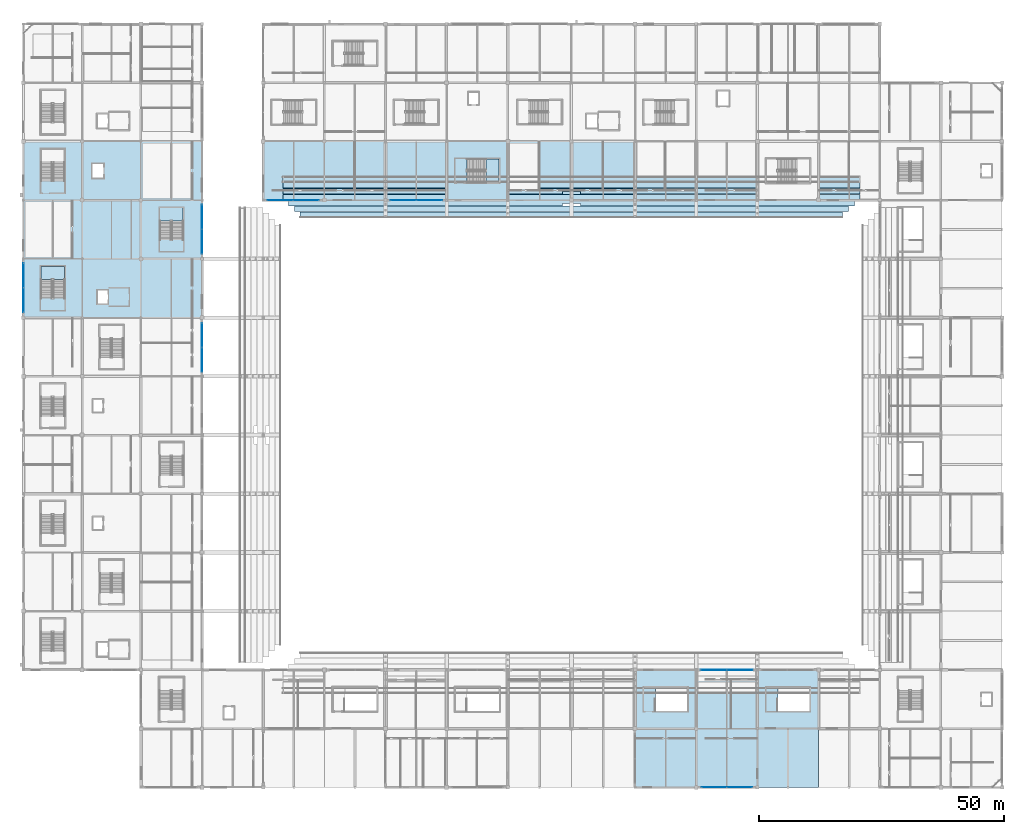
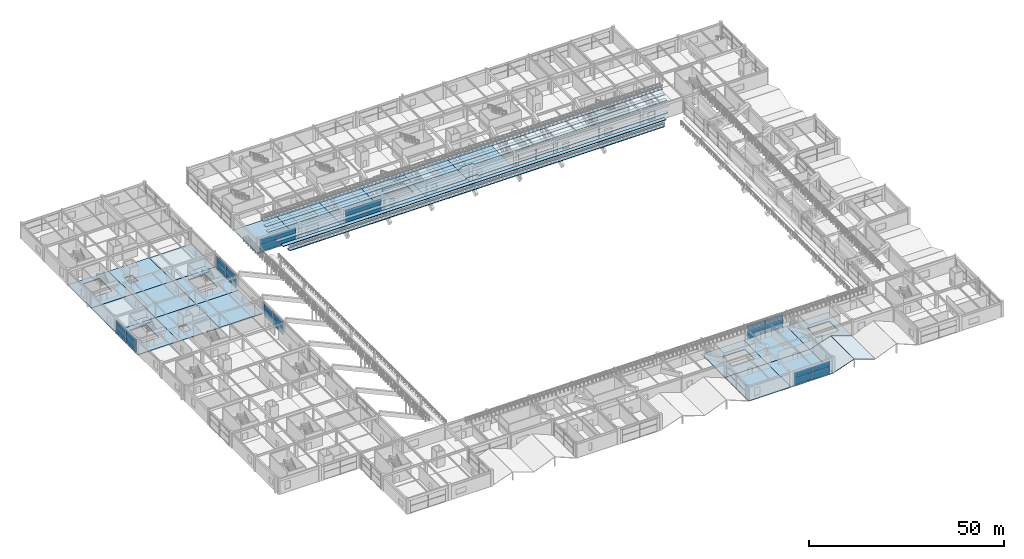
# One storey, part 71 of 128: 32 slabs, 28 plates, 10 elements without a shape of their own.
"""IFC4 building model written with IfcOpenShell, lengths in metres."""

from ifc_helpers import new_model, si_unit, direction, frame, origin, origin_2d, place, context, subcontext, project, spatial, polyline, rectangle, outline, extrude, material, layer, layer_set, type_object, element, aggregate, save


model = new_model("IFC4")

# Units and contexts
model_context = context("Model", 3, precision=1e-05, world=origin(), true_north=direction((0.0, 1.0)))
body_context = subcontext(model_context, "Body", "Model", "MODEL_VIEW")
ifc_project = project(units=[si_unit("LENGTHUNIT", "METRE"), si_unit("AREAUNIT", "SQUARE_METRE"), si_unit("VOLUMEUNIT", "CUBIC_METRE"), si_unit("PLANEANGLEUNIT", "RADIAN"), si_unit("MASSUNIT", "GRAM", prefix="KILO")], contexts=[model_context])

# Site, building, storey
site_placement = place(None, origin())
site = spatial("IfcSite", under=ifc_project, at=site_placement, CompositionType="ELEMENT")
building_placement = place(site_placement, origin())
building = spatial("IfcBuilding", under=site, at=building_placement, Name="Kazenohara Klinker Stadium", CompositionType="ELEMENT")
storey_placement = place(building_placement, frame((0.0, 0.0, 15.300048828125)))
storey = spatial("IfcBuildingStorey", under=building, at=storey_placement, Name="L03", CompositionType="ELEMENT", Elevation=15.300048828125)

# Curtain wall, plates
ifc_material_1 = material(Name="Anodised aluminium and triple glazing", Category="aluminium")
ifc_layer_1 = layer(ifc_material_1, 0.159912109375)
ifc_layer_set_1 = layer_set([ifc_layer_1], Name="Anodised aluminium and triple glazing")
curtain_wall_type_1 = type_object("IfcCurtainWallType", Name="CW-SYS-01", PredefinedType="USERDEFINED", material=ifc_layer_set_1)
curtain_wall_1_placement = place(storey_placement, origin())
curtain_wall_1 = element("IfcCurtainWall", 1, at=curtain_wall_1_placement, inside=storey, type_object=curtain_wall_type_1, Name="Unitised facade curtain wall CW01 L03 Y0-9", ObjectType="UNITISED CURTAIN WALL", PredefinedType="USERDEFINED")
ifc_material_2 = material(Name="Low-e laminated triple glazing", Category="glass")
ifc_layer_2 = layer(ifc_material_2, 0.0439453125)
ifc_layer_set_2 = layer_set([ifc_layer_2], Name="Low-e laminated triple glazing")
plate_type = type_object("IfcPlateType", Name="CW-PNL-44", PredefinedType="CURTAIN_PANEL", material=ifc_layer_set_2)
plate_1_placement = place(storey_placement, frame((0.0, 111.558349609375, 0.074951171875), z_axis=(0.0, 0.0, 1.0), x_axis=(0.0, 1.0, 0.0)))
plate_1 = element("IfcPlate", 2, at=plate_1_placement, type_object=plate_type, Name="CW01 panel 1.1", PredefinedType="CURTAIN_PANEL", context=body_context, shape_type="SweptSolid", body=[
    extrude(rectangle(XDim=4.95849609375, YDim=0.0439453125, at=origin_2d()), origin(), (0.0, 0.0, 1.0), 2.12060546875),
])
plate_2_placement = place(storey_placement, frame((0.0, 111.558349609375, 2.2705078125), z_axis=(0.0, 0.0, 1.0), x_axis=(0.0, 1.0, 0.0)))
plate_2 = element("IfcPlate", 3, at=plate_2_placement, type_object=plate_type, Name="CW01 panel 1.2", PredefinedType="CURTAIN_PANEL", context=body_context, shape_type="SweptSolid", body=[
    extrude(rectangle(XDim=4.95849609375, YDim=0.0439453125, at=origin_2d()), origin(), (0.0, 0.0, 1.0), 1.714599609375),
])
plate_3_placement = place(storey_placement, frame((0.0, 116.591796875, 0.074951171875), z_axis=(0.0, 0.0, 1.0), x_axis=(0.0, 1.0, 0.0)))
plate_3 = element("IfcPlate", 4, at=plate_3_placement, type_object=plate_type, Name="CW01 panel 2.1", PredefinedType="CURTAIN_PANEL", context=body_context, shape_type="SweptSolid", body=[
    extrude(rectangle(XDim=4.95849609375, YDim=0.0439453125, at=origin_2d()), origin(), (0.0, 0.0, 1.0), 2.12060546875),
])
plate_4_placement = place(storey_placement, frame((0.0, 116.591796875, 2.2705078125), z_axis=(0.0, 0.0, 1.0), x_axis=(0.0, 1.0, 0.0)))
plate_4 = element("IfcPlate", 5, at=plate_4_placement, type_object=plate_type, Name="CW01 panel 2.2", PredefinedType="CURTAIN_PANEL", context=body_context, shape_type="SweptSolid", body=[
    extrude(rectangle(XDim=4.95849609375, YDim=0.0439453125, at=origin_2d()), origin(), (0.0, 0.0, 1.0), 1.714599609375),
])
aggregate(curtain_wall_1, [plate_1, plate_2, plate_3, plate_4])

ifc_layer_3 = layer(ifc_material_1, 0.199951171875)
ifc_layer_set_3 = layer_set([ifc_layer_3], Name="Anodised aluminium and triple glazing")
curtain_wall_type_2 = type_object("IfcCurtainWallType", Name="CW-SYS-03", PredefinedType="USERDEFINED", material=ifc_layer_set_3)
curtain_wall_2_placement = place(storey_placement, origin())
curtain_wall_2 = element("IfcCurtainWall", 6, at=curtain_wall_2_placement, inside=storey, type_object=curtain_wall_type_2, Name="Unitised facade curtain wall CW03 L03 Y3-8", ObjectType="UNITISED CURTAIN WALL", PredefinedType="USERDEFINED")
plate_5_placement = place(storey_placement, frame((36.5, 99.376953125, 0.074951171875), z_axis=(0.0, 0.0, 1.0), x_axis=(0.0, 1.0, 0.0)))
plate_5 = element("IfcPlate", 7, at=plate_5_placement, type_object=plate_type, Name="CW03 panel 1.1", PredefinedType="CURTAIN_PANEL", context=body_context, shape_type="SweptSolid", body=[
    extrude(rectangle(XDim=4.946044921875, YDim=0.0439453125, at=origin_2d()), origin(), (0.0, 0.0, 1.0), 2.18212890625),
])
plate_6_placement = place(storey_placement, frame((36.5, 99.376953125, 2.33203125), z_axis=(0.0, 0.0, 1.0), x_axis=(0.0, 1.0, 0.0)))
plate_6 = element("IfcPlate", 8, at=plate_6_placement, type_object=plate_type, Name="CW03 panel 1.2", PredefinedType="CURTAIN_PANEL", context=body_context, shape_type="SweptSolid", body=[
    extrude(rectangle(XDim=4.946044921875, YDim=0.0439453125, at=origin_2d()), origin(), (0.0, 0.0, 1.0), 1.764892578125),
])
plate_7_placement = place(storey_placement, frame((36.5, 104.39794921875, 0.074951171875), z_axis=(0.0, 0.0, 1.0), x_axis=(0.0, 1.0, 0.0)))
plate_7 = element("IfcPlate", 9, at=plate_7_placement, type_object=plate_type, Name="CW03 panel 2.1", PredefinedType="CURTAIN_PANEL", context=body_context, shape_type="SweptSolid", body=[
    extrude(rectangle(XDim=4.946044921875, YDim=0.0439453125, at=origin_2d()), origin(), (0.0, 0.0, 1.0), 2.18212890625),
])
plate_8_placement = place(storey_placement, frame((36.5, 104.39794921875, 2.33203125), z_axis=(0.0, 0.0, 1.0), x_axis=(0.0, 1.0, 0.0)))
plate_8 = element("IfcPlate", 10, at=plate_8_placement, type_object=plate_type, Name="CW03 panel 2.2", PredefinedType="CURTAIN_PANEL", context=body_context, shape_type="SweptSolid", body=[
    extrude(rectangle(XDim=4.946044921875, YDim=0.0439453125, at=origin_2d()), origin(), (0.0, 0.0, 1.0), 1.764892578125),
])
aggregate(curtain_wall_2, [plate_5, plate_6, plate_7, plate_8])

ifc_layer_4 = layer(ifc_material_1, 0.169921875)
ifc_layer_set_4 = layer_set([ifc_layer_4], Name="Anodised aluminium and triple glazing")
curtain_wall_type_3 = type_object("IfcCurtainWallType", Name="CW-SYS-04", PredefinedType="USERDEFINED", material=ifc_layer_set_4)
curtain_wall_3_placement = place(storey_placement, origin())
curtain_wall_3 = element("IfcCurtainWall", 11, at=curtain_wall_3_placement, inside=storey, type_object=curtain_wall_type_3, Name="Unitised facade curtain wall CW04 L03 Y3-10", ObjectType="UNITISED CURTAIN WALL", PredefinedType="USERDEFINED")
plate_9_placement = place(storey_placement, frame((36.5, 123.558349609375, 0.07470703125), z_axis=(0.0, 0.0, 1.0), x_axis=(0.0, 1.0, 0.0)))
plate_9 = element("IfcPlate", 12, at=plate_9_placement, type_object=plate_type, Name="CW04 panel 1.1", PredefinedType="CURTAIN_PANEL", context=body_context, shape_type="SweptSolid", body=[
    extrude(rectangle(XDim=4.95849609375, YDim=0.0439453125, at=origin_2d()), origin(), (0.0, 0.0, 1.0), 2.175537109375),
])
plate_10_placement = place(storey_placement, frame((36.5, 123.558349609375, 2.32568359375), z_axis=(0.0, 0.0, 1.0), x_axis=(0.0, 1.0, 0.0)))
plate_10 = element("IfcPlate", 13, at=plate_10_placement, type_object=plate_type, Name="CW04 panel 1.2", PredefinedType="CURTAIN_PANEL", context=body_context, shape_type="SweptSolid", body=[
    extrude(rectangle(XDim=4.95849609375, YDim=0.0439453125, at=origin_2d()), origin(), (0.0, 0.0, 1.0), 1.759521484375),
])
plate_11_placement = place(storey_placement, frame((36.5, 128.591796875, 0.07470703125), z_axis=(0.0, 0.0, 1.0), x_axis=(0.0, 1.0, 0.0)))
plate_11 = element("IfcPlate", 14, at=plate_11_placement, type_object=plate_type, Name="CW04 panel 2.1", PredefinedType="CURTAIN_PANEL", context=body_context, shape_type="SweptSolid", body=[
    extrude(rectangle(XDim=4.95849609375, YDim=0.0439453125, at=origin_2d()), origin(), (0.0, 0.0, 1.0), 2.175537109375),
])
plate_12_placement = place(storey_placement, frame((36.5, 128.591796875, 2.32568359375), z_axis=(0.0, 0.0, 1.0), x_axis=(0.0, 1.0, 0.0)))
plate_12 = element("IfcPlate", 15, at=plate_12_placement, type_object=plate_type, Name="CW04 panel 2.2", PredefinedType="CURTAIN_PANEL", context=body_context, shape_type="SweptSolid", body=[
    extrude(rectangle(XDim=4.95849609375, YDim=0.0439453125, at=origin_2d()), origin(), (0.0, 0.0, 1.0), 1.759521484375),
])
aggregate(curtain_wall_3, [plate_9, plate_10, plate_11, plate_12])

curtain_wall_4_placement = place(storey_placement, origin())
curtain_wall_4 = element("IfcCurtainWall", 16, at=curtain_wall_4_placement, inside=storey, type_object=curtain_wall_type_3, Name="Unitised facade curtain wall CW04 L03 X4-11", ObjectType="UNITISED CURTAIN WALL", PredefinedType="USERDEFINED")
plate_13_placement = place(storey_placement, frame((52.501953125, 132.0, 0.074951171875), z_axis=(0.0, 0.0, 1.0), x_axis=(1.0, 0.0, 0.0)))
plate_13 = element("IfcPlate", 17, at=plate_13_placement, type_object=plate_type, Name="CW04 panel 1.1", PredefinedType="CURTAIN_PANEL", context=body_context, shape_type="SweptSolid", body=[
    extrude(rectangle(XDim=5.196044921875, YDim=0.0439453125, at=origin_2d()), origin(), (0.0, 0.0, 1.0), 2.12060546875),
])
plate_14_placement = place(storey_placement, frame((52.501953125, 132.0, 2.2705078125), z_axis=(0.0, 0.0, 1.0), x_axis=(1.0, 0.0, 0.0)))
plate_14 = element("IfcPlate", 18, at=plate_14_placement, type_object=plate_type, Name="CW04 panel 1.2", PredefinedType="CURTAIN_PANEL", context=body_context, shape_type="SweptSolid", body=[
    extrude(rectangle(XDim=5.196044921875, YDim=0.0439453125, at=origin_2d()), origin(), (0.0, 0.0, 1.0), 1.714599609375),
])
plate_15_placement = place(storey_placement, frame((57.77294921875, 132.0, 0.074951171875), z_axis=(0.0, 0.0, 1.0), x_axis=(1.0, 0.0, 0.0)))
plate_15 = element("IfcPlate", 19, at=plate_15_placement, type_object=plate_type, Name="CW04 panel 2.1", PredefinedType="CURTAIN_PANEL", context=body_context, shape_type="SweptSolid", body=[
    extrude(rectangle(XDim=5.196044921875, YDim=0.0439453125, at=origin_2d()), origin(), (0.0, 0.0, 1.0), 2.12060546875),
])
plate_16_placement = place(storey_placement, frame((57.77294921875, 132.0, 2.2705078125), z_axis=(0.0, 0.0, 1.0), x_axis=(1.0, 0.0, 0.0)))
plate_16 = element("IfcPlate", 20, at=plate_16_placement, type_object=plate_type, Name="CW04 panel 2.2", PredefinedType="CURTAIN_PANEL", context=body_context, shape_type="SweptSolid", body=[
    extrude(rectangle(XDim=5.196044921875, YDim=0.0439453125, at=origin_2d()), origin(), (0.0, 0.0, 1.0), 1.714599609375),
])
aggregate(curtain_wall_4, [plate_13, plate_14, plate_15, plate_16])

curtain_wall_5_placement = place(storey_placement, origin())
curtain_wall_5 = element("IfcCurtainWall", 21, at=curtain_wall_5_placement, inside=storey, type_object=curtain_wall_type_3, Name="Unitised facade curtain wall CW04 L03 X6-11", ObjectType="UNITISED CURTAIN WALL", PredefinedType="USERDEFINED")
plate_17_placement = place(storey_placement, frame((77.683349609375, 132.0, 0.074951171875), z_axis=(0.0, 0.0, 1.0), x_axis=(1.0, 0.0, 0.0)))
plate_17 = element("IfcPlate", 22, at=plate_17_placement, type_object=plate_type, Name="CW04 panel 1.1", PredefinedType="CURTAIN_PANEL", context=body_context, shape_type="SweptSolid", body=[
    extrude(rectangle(XDim=5.20849609375, YDim=0.0439453125, at=origin_2d()), origin(), (0.0, 0.0, 1.0), 2.18212890625),
])
plate_18_placement = place(storey_placement, frame((77.683349609375, 132.0, 2.33203125), z_axis=(0.0, 0.0, 1.0), x_axis=(1.0, 0.0, 0.0)))
plate_18 = element("IfcPlate", 23, at=plate_18_placement, type_object=plate_type, Name="CW04 panel 1.2", PredefinedType="CURTAIN_PANEL", context=body_context, shape_type="SweptSolid", body=[
    extrude(rectangle(XDim=5.20849609375, YDim=0.0439453125, at=origin_2d()), origin(), (0.0, 0.0, 1.0), 1.764892578125),
])
plate_19_placement = place(storey_placement, frame((82.966796875, 132.0, 0.074951171875), z_axis=(0.0, 0.0, 1.0), x_axis=(1.0, 0.0, 0.0)))
plate_19 = element("IfcPlate", 24, at=plate_19_placement, type_object=plate_type, Name="CW04 panel 2.1", PredefinedType="CURTAIN_PANEL", context=body_context, shape_type="SweptSolid", body=[
    extrude(rectangle(XDim=5.20849609375, YDim=0.0439453125, at=origin_2d()), origin(), (0.0, 0.0, 1.0), 2.18212890625),
])
plate_20_placement = place(storey_placement, frame((82.966796875, 132.0, 2.33203125), z_axis=(0.0, 0.0, 1.0), x_axis=(1.0, 0.0, 0.0)))
plate_20 = element("IfcPlate", 25, at=plate_20_placement, type_object=plate_type, Name="CW04 panel 2.2", PredefinedType="CURTAIN_PANEL", context=body_context, shape_type="SweptSolid", body=[
    extrude(rectangle(XDim=5.20849609375, YDim=0.0439453125, at=origin_2d()), origin(), (0.0, 0.0, 1.0), 1.764892578125),
])
aggregate(curtain_wall_5, [plate_17, plate_18, plate_19, plate_20])

curtain_wall_6_placement = place(storey_placement, origin())
curtain_wall_6 = element("IfcCurtainWall", 26, at=curtain_wall_6_placement, inside=storey, type_object=curtain_wall_type_2, Name="Unitised facade curtain wall CW03 L03 X11-1", ObjectType="UNITISED CURTAIN WALL", PredefinedType="USERDEFINED")
plate_21_placement = place(storey_placement, frame((141.183349609375, 12.0, 0.074951171875), z_axis=(0.0, 0.0, 1.0), x_axis=(1.0, 0.0, 0.0)))
plate_21 = element("IfcPlate", 27, at=plate_21_placement, type_object=plate_type, Name="CW03 panel 1.1", PredefinedType="CURTAIN_PANEL", context=body_context, shape_type="SweptSolid", body=[
    extrude(rectangle(XDim=5.1083984375, YDim=0.0439453125, at=origin_2d()), origin(), (0.0, 0.0, 1.0), 2.12060546875),
])
plate_22_placement = place(storey_placement, frame((141.183349609375, 12.0, 2.2705078125), z_axis=(0.0, 0.0, 1.0), x_axis=(1.0, 0.0, 0.0)))
plate_22 = element("IfcPlate", 28, at=plate_22_placement, type_object=plate_type, Name="CW03 panel 1.2", PredefinedType="CURTAIN_PANEL", context=body_context, shape_type="SweptSolid", body=[
    extrude(rectangle(XDim=5.1083984375, YDim=0.0439453125, at=origin_2d()), origin(), (0.0, 0.0, 1.0), 1.714599609375),
])
plate_23_placement = place(storey_placement, frame((146.36669921875, 12.0, 0.074951171875), z_axis=(0.0, 0.0, 1.0), x_axis=(1.0, 0.0, 0.0)))
plate_23 = element("IfcPlate", 29, at=plate_23_placement, type_object=plate_type, Name="CW03 panel 2.1", PredefinedType="CURTAIN_PANEL", context=body_context, shape_type="SweptSolid", body=[
    extrude(rectangle(XDim=5.1083984375, YDim=0.0439453125, at=origin_2d()), origin(), (0.0, 0.0, 1.0), 2.12060546875),
])
plate_24_placement = place(storey_placement, frame((146.36669921875, 12.0, 2.2705078125), z_axis=(0.0, 0.0, 1.0), x_axis=(1.0, 0.0, 0.0)))
plate_24 = element("IfcPlate", 30, at=plate_24_placement, type_object=plate_type, Name="CW03 panel 2.2", PredefinedType="CURTAIN_PANEL", context=body_context, shape_type="SweptSolid", body=[
    extrude(rectangle(XDim=5.1083984375, YDim=0.0439453125, at=origin_2d()), origin(), (0.0, 0.0, 1.0), 1.714599609375),
])
aggregate(curtain_wall_6, [plate_21, plate_22, plate_23, plate_24])

curtain_wall_7_placement = place(storey_placement, origin())
curtain_wall_7 = element("IfcCurtainWall", 31, at=curtain_wall_7_placement, inside=storey, type_object=curtain_wall_type_3, Name="Unitised facade curtain wall CW04 L03 X11-3", ObjectType="UNITISED CURTAIN WALL", PredefinedType="USERDEFINED")
plate_25_placement = place(storey_placement, frame((141.076904296875, 36.0, 0.074951171875), z_axis=(0.0, 0.0, 1.0), x_axis=(1.0, 0.0, 0.0)))
plate_25 = element("IfcPlate", 32, at=plate_25_placement, type_object=plate_type, Name="CW04 panel 1.1", PredefinedType="CURTAIN_PANEL", context=body_context, shape_type="SweptSolid", body=[
    extrude(rectangle(XDim=5.2958984375, YDim=0.0439453125, at=origin_2d()), origin(), (0.0, 0.0, 1.0), 2.18212890625),
])
plate_26_placement = place(storey_placement, frame((141.076904296875, 36.0, 2.33203125), z_axis=(0.0, 0.0, 1.0), x_axis=(1.0, 0.0, 0.0)))
plate_26 = element("IfcPlate", 33, at=plate_26_placement, type_object=plate_type, Name="CW04 panel 1.2", PredefinedType="CURTAIN_PANEL", context=body_context, shape_type="SweptSolid", body=[
    extrude(rectangle(XDim=5.2958984375, YDim=0.0439453125, at=origin_2d()), origin(), (0.0, 0.0, 1.0), 1.764892578125),
])
plate_27_placement = place(storey_placement, frame((146.447998046875, 36.0, 0.074951171875), z_axis=(0.0, 0.0, 1.0), x_axis=(1.0, 0.0, 0.0)))
plate_27 = element("IfcPlate", 34, at=plate_27_placement, type_object=plate_type, Name="CW04 panel 2.1", PredefinedType="CURTAIN_PANEL", context=body_context, shape_type="SweptSolid", body=[
    extrude(rectangle(XDim=5.2958984375, YDim=0.0439453125, at=origin_2d()), origin(), (0.0, 0.0, 1.0), 2.18212890625),
])
plate_28_placement = place(storey_placement, frame((146.447998046875, 36.0, 2.33203125), z_axis=(0.0, 0.0, 1.0), x_axis=(1.0, 0.0, 0.0)))
plate_28 = element("IfcPlate", 35, at=plate_28_placement, type_object=plate_type, Name="CW04 panel 2.2", PredefinedType="CURTAIN_PANEL", context=body_context, shape_type="SweptSolid", body=[
    extrude(rectangle(XDim=5.2958984375, YDim=0.0439453125, at=origin_2d()), origin(), (0.0, 0.0, 1.0), 1.764892578125),
])
aggregate(curtain_wall_7, [plate_25, plate_26, plate_27, plate_28])

# Slabs
ifc_material_3 = material(Name="Concrete C40/50", Category="concrete")
ifc_layer_5 = layer(ifc_material_3, 0.280029296875)
ifc_layer_set_5 = layer_set([ifc_layer_5], Name="Concrete C40/50")
slab_type_1 = type_object("IfcSlabType", Name="SLB-FLR-280", PredefinedType="FLOOR", material=ifc_layer_set_5)
slab_1_placement = place(storey_placement, frame((0.0, 0.0, -0.280029296875)))
element("IfcSlab", 36, at=slab_1_placement, inside=storey, type_object=slab_type_1, Name="Floor slab FS04 L03 1/K", PredefinedType="FLOOR", context=body_context, shape_type="SweptSolid", body=[
    extrude(outline(polyline([(0.0, 108.0), (12.0, 108.0), (12.0, 120.0), (0.0, 120.0), (0.0, 108.0)]), holes=[polyline([(8.43994140625, 111.9599609375), (8.43994140625, 118.4599609375), (3.56005859375, 118.4599609375), (3.56005859375, 111.9599609375), (8.43994140625, 111.9599609375)])]), origin(), (0.0, 0.0, 1.0), 0.280029296875),
])
slab_2_placement = place(storey_placement, frame((0.0, 0.0, -0.280029296875)))
element("IfcSlab", 37, at=slab_2_placement, inside=storey, type_object=slab_type_1, Name="Floor slab FS04 L03 1/L", PredefinedType="FLOOR", context=body_context, shape_type="SweptSolid", body=[
    extrude(outline(polyline([(0.0, 120.0), (12.0, 120.0), (12.0, 132.0), (0.0, 132.0), (0.0, 120.0)])), origin(), (0.0, 0.0, 1.0), 0.280029296875),
])
slab_3_placement = place(storey_placement, frame((0.0, 0.0, -0.280029296875)))
element("IfcSlab", 38, at=slab_3_placement, inside=storey, type_object=slab_type_1, Name="Floor slab FS04 L03 1/M", PredefinedType="FLOOR", context=body_context, shape_type="SweptSolid", body=[
    extrude(outline(polyline([(0.0, 132.0), (12.0, 132.0), (12.0, 144.0), (0.0, 144.0), (0.0, 132.0)]), holes=[polyline([(8.39990234375, 135.919921875), (8.39990234375, 142.4599609375), (3.60009765625, 142.4599609375), (3.60009765625, 135.919921875), (8.39990234375, 135.919921875)])]), origin(), (0.0, 0.0, 1.0), 0.280029296875),
])
slab_4_placement = place(storey_placement, frame((0.0, 0.0, -0.280029296875)))
element("IfcSlab", 39, at=slab_4_placement, inside=storey, type_object=slab_type_1, Name="Floor slab FS04 L03 2/K", PredefinedType="FLOOR", context=body_context, shape_type="SweptSolid", body=[
    extrude(outline(polyline([(12.0, 108.0), (24.0, 108.0), (24.0, 120.0), (12.0, 120.0), (12.0, 108.0)]), holes=[polyline([(15.14990234375, 110.85009765625), (17.25, 110.85009765625), (17.25, 113.550048828125), (15.14990234375, 113.550048828125), (15.14990234375, 110.85009765625)])]), origin(), (0.0, 0.0, 1.0), 0.280029296875),
])
slab_5_placement = place(storey_placement, frame((0.0, 0.0, -0.280029296875)))
element("IfcSlab", 40, at=slab_5_placement, inside=storey, type_object=slab_type_1, Name="Floor slab FS04 L03 2/L", PredefinedType="FLOOR", context=body_context, shape_type="SweptSolid", body=[
    extrude(outline(polyline([(12.0, 120.0), (24.0, 120.0), (24.0, 132.0), (12.0, 132.0), (12.0, 120.0)])), origin(), (0.0, 0.0, 1.0), 0.280029296875),
])
slab_6_placement = place(storey_placement, frame((0.0, 0.0, -0.280029296875)))
element("IfcSlab", 41, at=slab_6_placement, inside=storey, type_object=slab_type_1, Name="Floor slab FS04 L03 2/M", PredefinedType="FLOOR", context=body_context, shape_type="SweptSolid", body=[
    extrude(outline(polyline([(12.0, 132.0), (24.0, 132.0), (24.0, 144.0), (12.0, 144.0), (12.0, 132.0)]), holes=[polyline([(14.050048828125, 136.550048828125), (16.35009765625, 136.550048828125), (16.35009765625, 139.449951171875), (14.050048828125, 139.449951171875), (14.050048828125, 136.550048828125)])]), origin(), (0.0, 0.0, 1.0), 0.280029296875),
])
slab_7_placement = place(storey_placement, frame((0.0, 0.0, -0.280029296875)))
element("IfcSlab", 42, at=slab_7_placement, inside=storey, type_object=slab_type_1, Name="Floor slab FS04 L03 3/K", PredefinedType="FLOOR", context=body_context, shape_type="SweptSolid", body=[
    extrude(outline(polyline([(24.0, 108.0), (36.5, 108.0), (36.5, 120.0), (24.0, 120.0), (24.0, 108.0)])), origin(), (0.0, 0.0, 1.0), 0.280029296875),
])
slab_8_placement = place(storey_placement, frame((0.0, 0.0, -0.280029296875)))
element("IfcSlab", 43, at=slab_8_placement, inside=storey, type_object=slab_type_1, Name="Floor slab FS04 L03 3/L", PredefinedType="FLOOR", context=body_context, shape_type="SweptSolid", body=[
    extrude(outline(polyline([(24.0, 120.0), (36.5, 120.0), (36.5, 132.0), (24.0, 132.0), (24.0, 120.0)]), holes=[polyline([(32.659912109375, 123.929931640625), (32.659912109375, 130.4599609375), (27.840087890625, 130.4599609375), (27.840087890625, 123.929931640625), (32.659912109375, 123.929931640625)])]), origin(), (0.0, 0.0, 1.0), 0.280029296875),
])
slab_9_placement = place(storey_placement, frame((0.0, 0.0, -0.280029296875)))
element("IfcSlab", 44, at=slab_9_placement, inside=storey, type_object=slab_type_1, Name="Floor slab FS04 L03 3/M", PredefinedType="FLOOR", context=body_context, shape_type="SweptSolid", body=[
    extrude(outline(polyline([(24.0, 132.0), (36.5, 132.0), (36.5, 144.0), (24.0, 144.0), (24.0, 132.0)])), origin(), (0.0, 0.0, 1.0), 0.280029296875),
])
slab_10_placement = place(storey_placement, frame((0.0, 0.0, -0.280029296875)))
element("IfcSlab", 45, at=slab_10_placement, inside=storey, type_object=slab_type_1, Name="Floor slab FS04 L03 5/M", PredefinedType="FLOOR", context=body_context, shape_type="SweptSolid", body=[
    extrude(outline(polyline([(49.0, 132.0), (61.5, 132.0), (61.5, 144.0), (49.0, 144.0), (49.0, 132.0)])), origin(), (0.0, 0.0, 1.0), 0.280029296875),
])
slab_11_placement = place(storey_placement, frame((0.0, 0.0, -0.280029296875)))
element("IfcSlab", 46, at=slab_11_placement, inside=storey, type_object=slab_type_1, Name="Floor slab FS04 L03 6/M", PredefinedType="FLOOR", context=body_context, shape_type="SweptSolid", body=[
    extrude(outline(polyline([(61.5, 132.0), (74.0, 132.0), (74.0, 144.0), (61.5, 144.0), (61.5, 132.0)])), origin(), (0.0, 0.0, 1.0), 0.280029296875),
])
slab_12_placement = place(storey_placement, frame((0.0, 0.0, -0.280029296875)))
element("IfcSlab", 47, at=slab_12_placement, inside=storey, type_object=slab_type_1, Name="Floor slab FS04 L03 7/M", PredefinedType="FLOOR", context=body_context, shape_type="SweptSolid", body=[
    extrude(outline(polyline([(74.0, 132.0), (86.5, 132.0), (86.5, 144.0), (74.0, 144.0), (74.0, 132.0)])), origin(), (0.0, 0.0, 1.0), 0.280029296875),
])
slab_13_placement = place(storey_placement, frame((0.0, 0.0, -0.280029296875)))
element("IfcSlab", 48, at=slab_13_placement, inside=storey, type_object=slab_type_1, Name="Floor slab FS04 L03 8/M", PredefinedType="FLOOR", context=body_context, shape_type="SweptSolid", body=[
    extrude(outline(polyline([(86.5, 132.0), (99.0, 132.0), (99.0, 144.0), (86.5, 144.0), (86.5, 132.0)]), holes=[polyline([(90.699951171875, 135.570068359375), (97.2099609375, 135.570068359375), (97.2099609375, 140.429931640625), (90.699951171875, 140.429931640625), (90.699951171875, 135.570068359375)])]), origin(), (0.0, 0.0, 1.0), 0.280029296875),
])
slab_14_placement = place(storey_placement, frame((0.0, 0.0, -0.280029296875)))
element("IfcSlab", 49, at=slab_14_placement, inside=storey, type_object=slab_type_1, Name="Floor slab FS04 L03 9/M", PredefinedType="FLOOR", context=body_context, shape_type="SweptSolid", body=[
    extrude(outline(polyline([(99.0, 132.0), (112.0, 132.0), (112.0, 144.0), (99.0, 144.0), (99.0, 132.0)])), origin(), (0.0, 0.0, 1.0), 0.280029296875),
])
slab_15_placement = place(storey_placement, frame((0.0, 0.0, -0.280029296875)))
element("IfcSlab", 50, at=slab_15_placement, inside=storey, type_object=slab_type_1, Name="Floor slab FS04 L03 10/M", PredefinedType="FLOOR", context=body_context, shape_type="SweptSolid", body=[
    extrude(outline(polyline([(112.0, 132.0), (125.0, 132.0), (125.0, 144.0), (112.0, 144.0), (112.0, 132.0)])), origin(), (0.0, 0.0, 1.0), 0.280029296875),
])
slab_16_placement = place(storey_placement, frame((0.0, 0.0, -0.280029296875)))
element("IfcSlab", 51, at=slab_16_placement, inside=storey, type_object=slab_type_1, Name="Floor slab FS04 L03 11/B", PredefinedType="FLOOR", context=body_context, shape_type="SweptSolid", body=[
    extrude(outline(polyline([(125.0, 12.0), (137.5, 12.0), (137.5, 24.0), (125.0, 24.0), (125.0, 12.0)])), origin(), (0.0, 0.0, 1.0), 0.280029296875),
])
slab_17_placement = place(storey_placement, frame((0.0, 0.0, -0.280029296875)))
element("IfcSlab", 52, at=slab_17_placement, inside=storey, type_object=slab_type_1, Name="Floor slab FS04 L03 11/C", PredefinedType="FLOOR", context=body_context, shape_type="SweptSolid", body=[
    extrude(outline(polyline([(125.0, 24.0), (137.5, 24.0), (137.5, 36.0), (125.0, 36.0), (125.0, 24.0)]), holes=[polyline([(129.199951171875, 27.570068359375), (135.7099609375, 27.570068359375), (135.7099609375, 32.429931640625), (129.199951171875, 32.429931640625), (129.199951171875, 27.570068359375)])]), origin(), (0.0, 0.0, 1.0), 0.280029296875),
])
slab_18_placement = place(storey_placement, frame((0.0, 0.0, -0.280029296875)))
element("IfcSlab", 53, at=slab_18_placement, inside=storey, type_object=slab_type_1, Name="Floor slab FS04 L03 12/B", PredefinedType="FLOOR", context=body_context, shape_type="SweptSolid", body=[
    extrude(outline(polyline([(137.5, 12.0), (150.0, 12.0), (150.0, 24.0), (137.5, 24.0), (137.5, 12.0)])), origin(), (0.0, 0.0, 1.0), 0.280029296875),
])
slab_19_placement = place(storey_placement, frame((0.0, 0.0, -0.280029296875)))
element("IfcSlab", 54, at=slab_19_placement, inside=storey, type_object=slab_type_1, Name="Floor slab FS04 L03 12/C", PredefinedType="FLOOR", context=body_context, shape_type="SweptSolid", body=[
    extrude(outline(polyline([(137.5, 24.0), (150.0, 24.0), (150.0, 36.0), (137.5, 36.0), (137.5, 24.0)])), origin(), (0.0, 0.0, 1.0), 0.280029296875),
])
slab_20_placement = place(storey_placement, frame((0.0, 0.0, -0.280029296875)))
element("IfcSlab", 55, at=slab_20_placement, inside=storey, type_object=slab_type_1, Name="Floor slab FS04 L03 13/C", PredefinedType="FLOOR", context=body_context, shape_type="SweptSolid", body=[
    extrude(outline(polyline([(150.0, 24.0), (162.5, 24.0), (162.5, 36.0), (150.0, 36.0), (150.0, 24.0)]), holes=[polyline([(154.2099609375, 27.56005859375), (160.7099609375, 27.56005859375), (160.7099609375, 32.43994140625), (154.2099609375, 32.43994140625), (154.2099609375, 27.56005859375)])]), origin(), (0.0, 0.0, 1.0), 0.280029296875),
])

# Stair, slab
stair_type_1 = type_object("IfcStairType", Name="STR-DL-2340", PredefinedType="HALF_TURN_STAIR", material=ifc_material_3)
stair_1_placement = place(storey_placement, origin())
stair_1 = element("IfcStair", 56, at=stair_1_placement, inside=storey, type_object=stair_type_1, Name="L03 Enclosed escape stair ST04", PredefinedType="HALF_TURN_STAIR")
ifc_layer_6 = layer(ifc_material_3, 0.199951171875)
ifc_layer_set_6 = layer_set([ifc_layer_6], Name="Concrete C40/50")
slab_type_2 = type_object("IfcSlabType", Name="SLB-LND-200", PredefinedType="LANDING", material=ifc_layer_set_6)
slab_21_placement = place(storey_placement, frame((0.0, 0.0, 2.349853515625)))
slab_21 = element("IfcSlab", 57, at=slab_21_placement, type_object=slab_type_2, Name="ST04 landing 1", PredefinedType="LANDING", context=body_context, shape_type="SweptSolid", body=[
    extrude(outline(polyline([(8.43994140625, 115.800048828125), (8.43994140625, 118.4599609375), (3.56005859375, 118.4599609375), (3.56005859375, 115.800048828125), (8.43994140625, 115.800048828125)])), origin(), (0.0, 0.0, 1.0), 0.2001953125),
])
aggregate(stair_1, [slab_21])

stair_type_2 = type_object("IfcStairType", Name="STR-DL-2310", PredefinedType="HALF_TURN_STAIR", material=ifc_material_3)
stair_2_placement = place(storey_placement, origin())
stair_2 = element("IfcStair", 58, at=stair_2_placement, inside=storey, type_object=stair_type_2, Name="L03 Enclosed escape stair ST18", PredefinedType="HALF_TURN_STAIR")
slab_22_placement = place(storey_placement, frame((0.0, 0.0, 2.349853515625)))
slab_22 = element("IfcSlab", 59, at=slab_22_placement, type_object=slab_type_2, Name="ST18 landing 1", PredefinedType="LANDING", context=body_context, shape_type="SweptSolid", body=[
    extrude(outline(polyline([(32.659912109375, 127.77001953125), (32.659912109375, 130.4599609375), (27.840087890625, 130.4599609375), (27.840087890625, 127.77001953125), (32.659912109375, 127.77001953125)])), origin(), (0.0, 0.0, 1.0), 0.2001953125),
])
aggregate(stair_2, [slab_22])

stair_type_3 = type_object("IfcStairType", Name="STR-DL-2330", PredefinedType="HALF_TURN_STAIR", material=ifc_material_3)
stair_3_placement = place(storey_placement, origin())
stair_3 = element("IfcStair", 60, at=stair_3_placement, inside=storey, type_object=stair_type_3, Name="L03 Enclosed escape stair ST19", PredefinedType="HALF_TURN_STAIR")
slab_23_placement = place(storey_placement, frame((0.0, 0.0, 2.349853515625)))
slab_23 = element("IfcSlab", 61, at=slab_23_placement, type_object=slab_type_2, Name="ST19 landing 1", PredefinedType="LANDING", context=body_context, shape_type="SweptSolid", body=[
    extrude(outline(polyline([(94.5400390625, 135.570068359375), (97.2099609375, 135.570068359375), (97.2099609375, 140.429931640625), (94.5400390625, 140.429931640625), (94.5400390625, 135.570068359375)])), origin(), (0.0, 0.0, 1.0), 0.2001953125),
])
aggregate(stair_3, [slab_23])

# Slabs
ifc_material_4 = material(Name="Steel S355", Category="steel")
ifc_layer_7 = layer(ifc_material_4, 0.169921875)
ifc_layer_set_7 = layer_set([ifc_layer_7], Name="Steel S355")
slab_type_3 = type_object("IfcSlabType", Name="SLB-ROOF-170", PredefinedType="ROOF", material=ifc_layer_set_7)
for number, where, z_axis, x_axis, name in (
    (62, (150.0, 12.0, -0.080078125), (-0.327656136105, 0.0, 0.944797045123), (0.944797045123, 0.0, 0.327656136105), "Sloped snow-shedding wing roof RS02 L03 13/B A"),
    (63, (156.300048828125, 12.0, 2.070068359375), (0.327656136105, 0.0, 0.944797045123), (0.944797045123, 0.0, -0.327656136105), "Sloped snow-shedding wing roof RS02 L03 13/B B"),
):
    element("IfcSlab", number, at=place(storey_placement, frame(where, z_axis=z_axis, x_axis=x_axis)), inside=storey, type_object=slab_type_3, Name=name, PredefinedType="ROOF", context=body_context, shape_type="SweptSolid", body=[
        extrude(outline(polyline([(0.0, 0.0), (6.562204236223097, 0.0), (6.562204236223097, 12.0), (0.0, 12.0), (0.0, 0.0)])), origin(), (0.0, 0.0, -1.0), 0.169921875),
    ])
ifc_material_5 = material(Name="Precast concrete C50/60", Category="concrete")
ifc_layer_8 = layer(ifc_material_5, 0.22998046875)
ifc_layer_set_8 = layer_set([ifc_layer_8], Name="Precast concrete C50/60")
slab_type_4 = type_object("IfcSlabType", Name="SLB-TIER-230", PredefinedType="USERDEFINED", material=ifc_layer_set_8)
slab_24_placement = place(storey_placement, frame((0.0, 0.0, 6.119873046875)))
element("IfcSlab", 64, at=slab_24_placement, inside=storey, type_object=slab_type_4, Name="Stand upper tier N-01", ObjectType="SEATING TIER", PredefinedType="USERDEFINED", context=body_context, shape_type="SweptSolid", body=[
    extrude(outline(polyline([(53.0, 135.639892578125), (171.0, 135.639892578125), (171.0, 136.800048828125), (53.0, 136.800048828125), (53.0, 135.639892578125)])), origin(), (0.0, 0.0, 1.0), 0.22998046875),
])
slab_25_placement = place(storey_placement, frame((0.0, 0.0, 5.111572265625)))
element("IfcSlab", 65, at=slab_25_placement, inside=storey, type_object=slab_type_4, Name="Stand upper tier N-02", ObjectType="SEATING TIER", PredefinedType="USERDEFINED", context=body_context, shape_type="SweptSolid", body=[
    extrude(outline(polyline([(53.0, 134.43994140625), (171.0, 134.43994140625), (171.0, 135.60009765625), (53.0, 135.60009765625), (53.0, 134.43994140625)])), origin(), (0.0, 0.0, 1.0), 0.22998046875),
])
slab_26_placement = place(storey_placement, frame((0.0, 0.0, 4.103271484375)))
element("IfcSlab", 66, at=slab_26_placement, inside=storey, type_object=slab_type_4, Name="Stand upper tier N-03", ObjectType="SEATING TIER", PredefinedType="USERDEFINED", context=body_context, shape_type="SweptSolid", body=[
    extrude(outline(polyline([(53.0, 133.239990234375), (110.199951171875, 133.239990234375), (110.199951171875, 133.761962890625), (113.800048828125, 133.761962890625), (113.800048828125, 133.239990234375), (171.0, 133.239990234375), (171.0, 134.39990234375), (53.0, 134.39990234375), (53.0, 133.239990234375)])), origin(), (0.0, 0.0, 1.0), 0.22998046875),
])
slab_27_placement = place(storey_placement, frame((0.0, 0.0, 3.094970703125)))
element("IfcSlab", 67, at=slab_27_placement, inside=storey, type_object=slab_type_4, Name="Stand upper tier N-04", ObjectType="SEATING TIER", PredefinedType="USERDEFINED", context=body_context, shape_type="SweptSolid", body=[
    extrude(outline(polyline([(53.0, 132.0400390625), (171.0, 132.0400390625), (171.0, 133.199951171875), (53.0, 133.199951171875), (53.0, 132.0400390625)])), origin(), (0.0, 0.0, 1.0), 0.22998046875),
])
slab_28_placement = place(storey_placement, frame((0.0, 0.0, 2.086669921875)))
element("IfcSlab", 68, at=slab_28_placement, inside=storey, type_object=slab_type_4, Name="Stand upper tier N-05", ObjectType="SEATING TIER", PredefinedType="USERDEFINED", context=body_context, shape_type="SweptSolid", body=[
    extrude(outline(polyline([(54.159912109375, 130.840087890625), (110.199951171875, 130.840087890625), (110.199951171875, 131.362060546875), (113.800048828125, 131.362060546875), (113.800048828125, 130.840087890625), (169.840087890625, 130.840087890625), (169.840087890625, 132.0), (54.159912109375, 132.0), (54.159912109375, 130.840087890625)])), origin(), (0.0, 0.0, 1.0), 0.22998046875),
])
slab_29_placement = place(storey_placement, frame((0.0, 0.0, 1.078369140625)))
element("IfcSlab", 69, at=slab_29_placement, inside=storey, type_object=slab_type_4, Name="Stand upper tier N-06", ObjectType="SEATING TIER", PredefinedType="USERDEFINED", context=body_context, shape_type="SweptSolid", body=[
    extrude(outline(polyline([(55.360107421875, 129.639892578125), (168.639892578125, 129.639892578125), (168.639892578125, 130.800048828125), (55.360107421875, 130.800048828125), (55.360107421875, 129.639892578125)])), origin(), (0.0, 0.0, 1.0), 0.22998046875),
])
slab_30_placement = place(storey_placement, frame((0.0, 0.0, 0.070068359375)))
element("IfcSlab", 70, at=slab_30_placement, inside=storey, type_object=slab_type_4, Name="Stand upper tier N-07", ObjectType="SEATING TIER", PredefinedType="USERDEFINED", context=body_context, shape_type="SweptSolid", body=[
    extrude(outline(polyline([(56.56005859375, 128.43994140625), (167.43994140625, 128.43994140625), (167.43994140625, 129.60009765625), (56.56005859375, 129.60009765625), (56.56005859375, 128.43994140625)])), origin(), (0.0, 0.0, 1.0), 0.22998046875),
])

save(model, "model.ifc")
